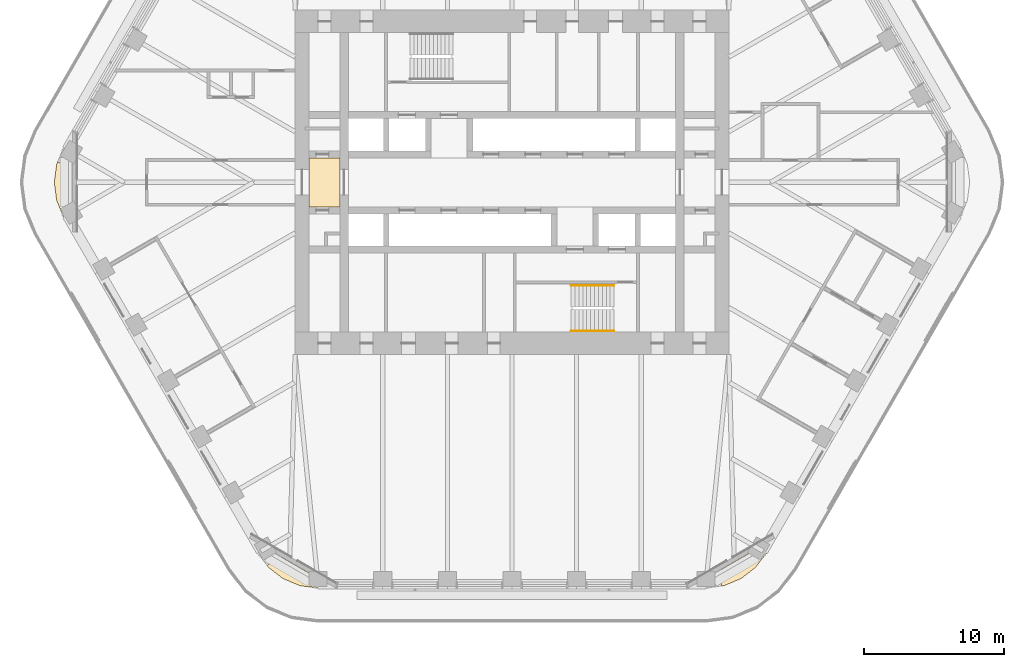
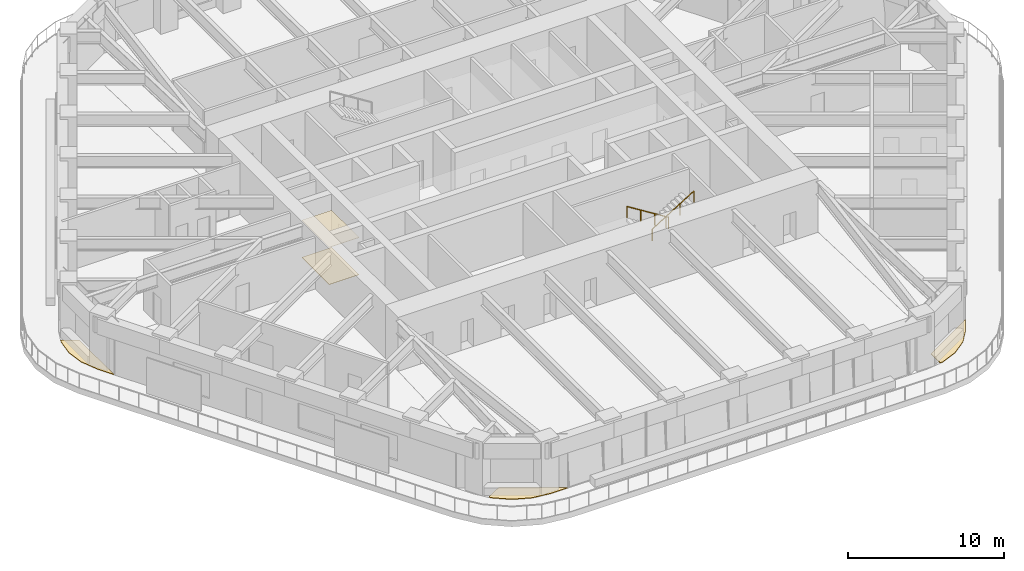
# One storey, part 18 of 20: 5 coverings, 2 railings.
"""IFC4 building model written with IfcOpenShell, lengths in metres."""

from ifc_helpers import new_model, si_unit, direction, frame, origin, origin_2d, place, context, subcontext, project, spatial, polyline, circle, outline, extrude, material, layer, layer_set, type_object, element, save


model = new_model("IFC4")

# Units and contexts
model_context = context("Model", 3, precision=1e-05, world=origin(), true_north=direction((0.0, 1.0)))
body_context = subcontext(model_context, "Body", "Model", "MODEL_VIEW")
ifc_project = project(units=[si_unit("LENGTHUNIT", "METRE"), si_unit("AREAUNIT", "SQUARE_METRE"), si_unit("VOLUMEUNIT", "CUBIC_METRE"), si_unit("PLANEANGLEUNIT", "RADIAN"), si_unit("MASSUNIT", "GRAM", prefix="KILO")], contexts=[model_context])

# Site, building, storey
site_placement = place(None, origin())
site = spatial("IfcSite", under=ifc_project, at=site_placement, CompositionType="ELEMENT")
building_placement = place(site_placement, origin())
building = spatial("IfcBuilding", under=site, at=building_placement, Name="Tarfa Lantern Tower", CompositionType="ELEMENT")
storey_placement = place(building_placement, frame((0.0, 0.0, 249.10009765625)))
storey = spatial("IfcBuildingStorey", under=building, at=storey_placement, Name="L56", CompositionType="ELEMENT", Elevation=249.10009765625)

# Coverings
ifc_material_1 = material(Name="Powder-coated aluminium panel", Category="aluminium")
ifc_layer_1 = layer(ifc_material_1, 0.030029296875)
ifc_layer_set_1 = layer_set([ifc_layer_1], Name="CL3 METAL PANEL CEILING 30")
covering_type_1 = type_object("IfcCoveringType", Name="CL3 METAL PANEL CEILING 30", PredefinedType="CEILING", material=ifc_layer_set_1)
covering_1_placement = place(storey_placement, frame((0.0, 0.0, 2.89990234375)))
element("IfcCovering", 1, at=covering_1_placement, inside=storey, type_object=covering_type_1, Name="Ceiling L56-01", PredefinedType="CEILING", context=body_context, shape_type="SweptSolid", body=[
    extrude(outline(polyline([(-14.5, -1.75), (-12.300048828125, -1.75), (-12.300048828125, 1.75), (-14.5, 1.75), (-14.5, -1.75)])), origin(), (0.0, 0.0, 1.0), 0.030029296875),
])
ifc_material_2 = material(Name="Honed limestone flooring", Category="masonry")
ifc_layer_2 = layer(ifc_material_2, 0.030029296875)
ifc_layer_set_2 = layer_set([ifc_layer_2], Name="FL2 STONE FLOORING 30")
covering_type_2 = type_object("IfcCoveringType", Name="FL2 STONE FLOORING 30", PredefinedType="FLOORING", material=ifc_layer_set_2)
covering_2_placement = place(storey_placement, origin())
element("IfcCovering", 2, at=covering_2_placement, inside=storey, type_object=covering_type_2, Name="Floor finish L56-01", PredefinedType="FLOORING", context=body_context, shape_type="SweptSolid", body=[
    extrude(outline(polyline([(-14.5, -1.75), (-12.300048828125, -1.75), (-12.300048828125, 1.75), (-14.5, 1.75), (-14.5, -1.75)])), origin(), (0.0, 0.0, 1.0), 0.02978515625),
])

# Railings
ifc_material_3 = material(Name="Stainless steel", Category="steel")
railing_type = type_object("IfcRailingType", Name="HR1 HANDRAIL 900", PredefinedType="HANDRAIL", material=ifc_material_3)
railing_1_placement = place(storey_placement, frame((7.300048828125, -7.3798828125, 0.1748046875)))
element("IfcRailing", 3, at=railing_1_placement, inside=storey, type_object=railing_type, Name="Handrail 1", PredefinedType="HANDRAIL", context=body_context, shape_type="SweptSolid", body=[
    extrude(circle(Radius=0.02392578125, at=origin_2d()), frame((0.0, 0.0, 0.8759765625), z_axis=(-0.847998304005, 0.0, 0.529998940003), x_axis=(0.0, -1.0, 0.0)), (0.0, 0.0, 1.0), 3.632080078125),
    extrude(circle(Radius=0.02099609375, at=origin_2d()), frame((0.0, 0.0, 0.0), z_axis=(0.0, 0.0, 1.0), x_axis=(0.0, -1.0, 0.0)), (0.0, 0.0, 1.0), 0.851806640625),
    extrude(circle(Radius=0.02099609375, at=origin_2d()), frame((-1.026611328125, 0.0, 0.6416015625), z_axis=(0.0, 0.0, 1.0), x_axis=(0.0, -1.0, 0.0)), (0.0, 0.0, 1.0), 0.851806640625),
    extrude(circle(Radius=0.02099609375, at=origin_2d()), frame((-2.053466796875, 0.0, 1.283447265625), z_axis=(0.0, 0.0, 1.0), x_axis=(0.0, -1.0, 0.0)), (0.0, 0.0, 1.0), 0.851806640625),
    extrude(circle(Radius=0.02099609375, at=origin_2d()), frame((-3.080078125, 0.0, 1.925048828125), z_axis=(0.0, 0.0, 1.0), x_axis=(0.0, -1.0, 0.0)), (0.0, 0.0, 1.0), 0.851806640625),
])
railing_2_placement = place(storey_placement, frame((4.219970703125, -10.6201171875, 2.27490234375)))
element("IfcRailing", 4, at=railing_2_placement, inside=storey, type_object=railing_type, Name="Handrail 2", PredefinedType="HANDRAIL", context=body_context, shape_type="SweptSolid", body=[
    extrude(circle(Radius=0.02392578125, at=origin_2d()), frame((0.0, 0.0, 0.8759765625), z_axis=(0.847998304005, 0.0, 0.529998940003), x_axis=(0.0, 1.0, 0.0)), (0.0, 0.0, 1.0), 3.632080078125),
    extrude(circle(Radius=0.02099609375, at=origin_2d()), frame((0.0, 0.0, 0.0), z_axis=(0.0, 0.0, 1.0), x_axis=(0.0, 1.0, 0.0)), (0.0, 0.0, 1.0), 0.851806640625),
    extrude(circle(Radius=0.02099609375, at=origin_2d()), frame((1.026611328125, 0.0, 0.6416015625), z_axis=(0.0, 0.0, 1.0), x_axis=(0.0, 1.0, 0.0)), (0.0, 0.0, 1.0), 0.851806640625),
    extrude(circle(Radius=0.02099609375, at=origin_2d()), frame((2.053466796875, 0.0, 1.283447265625), z_axis=(0.0, 0.0, 1.0), x_axis=(0.0, 1.0, 0.0)), (0.0, 0.0, 1.0), 0.851806640625),
    extrude(circle(Radius=0.02099609375, at=origin_2d()), frame((3.080078125, 0.0, 1.925048828125), z_axis=(0.0, 0.0, 1.0), x_axis=(0.0, 1.0, 0.0)), (0.0, 0.0, 1.0), 0.851806640625),
])

# Coverings
ifc_material_4 = material(Name="Porcelain pavers on pedestals", Category="ceramic")
ifc_layer_3 = layer(ifc_material_4, 0.0400390625)
ifc_layer_set_3 = layer_set([ifc_layer_3], Name="LP1 LOGGIA PAVING 40")
covering_type_3 = type_object("IfcCoveringType", Name="LP1 LOGGIA PAVING 40", PredefinedType="FLOORING", material=ifc_layer_set_3)
covering_3_placement = place(storey_placement, origin())
element("IfcCovering", 5, at=covering_3_placement, inside=storey, type_object=covering_type_3, Name="Sky garden paving NW-SW", PredefinedType="FLOORING", context=body_context, shape_type="SweptSolid", body=[
    extrude(outline(polyline([(-32.54248046875, -1.294189453125), (-32.712890625, 0.0), (-32.54248046875, 1.294189453125), (-32.467529296875, 1.474853515625), (-31.43310546875, 0.877685546875), (-31.43310546875, -3.55078125), (-31.436279296875, -3.55078125), (-32.04296875, -2.5), (-32.54248046875, -1.294189453125)])), origin(), (0.0, 0.0, 1.0), 0.039794921875),
])
covering_4_placement = place(storey_placement, origin())
element("IfcCovering", 6, at=covering_4_placement, inside=storey, type_object=covering_type_3, Name="Sky garden paving SW-S", PredefinedType="FLOORING", context=body_context, shape_type="SweptSolid", body=[
    extrude(outline(polyline([(-15.150390625, -28.82958984375), (-16.3564453125, -28.330078125), (-17.391845703125, -27.53564453125), (-17.51123046875, -27.380126953125), (-16.4765625, -26.782958984375), (-12.641357421875, -28.997314453125), (-12.64306640625, -29.0), (-13.8564453125, -29.0), (-15.150390625, -28.82958984375)])), origin(), (0.0, 0.0, 1.0), 0.039794921875),
])
covering_5_placement = place(storey_placement, origin())
element("IfcCovering", 7, at=covering_5_placement, inside=storey, type_object=covering_type_3, Name="Sky garden paving S-SE", PredefinedType="FLOORING", context=body_context, shape_type="SweptSolid", body=[
    extrude(outline(polyline([(17.391845703125, -27.53564453125), (16.3564453125, -28.330078125), (15.150390625, -28.82958984375), (14.956298828125, -28.855224609375), (14.956298828125, -27.66064453125), (18.791748046875, -25.4462890625), (18.793212890625, -25.44921875), (18.1865234375, -26.5), (17.391845703125, -27.53564453125)])), origin(), (0.0, 0.0, 1.0), 0.039794921875),
])

save(model, "model.ifc")
